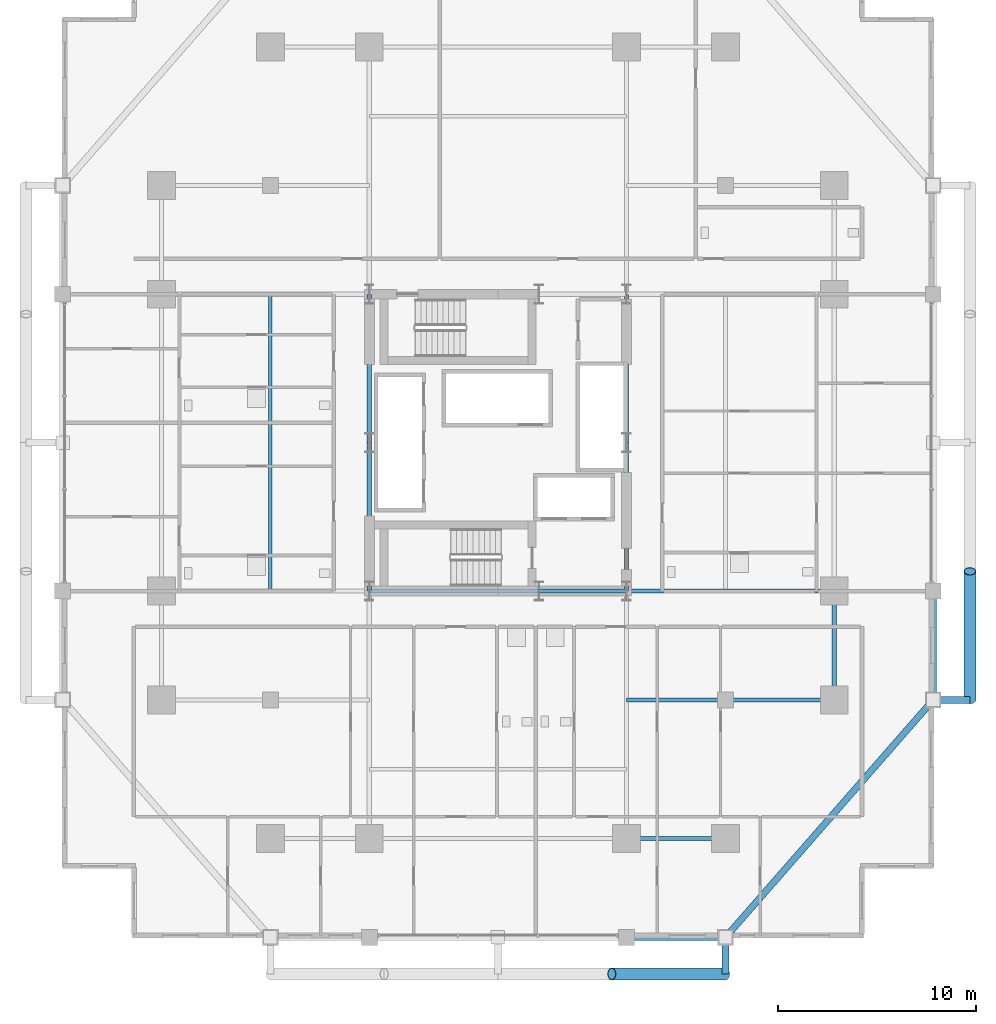
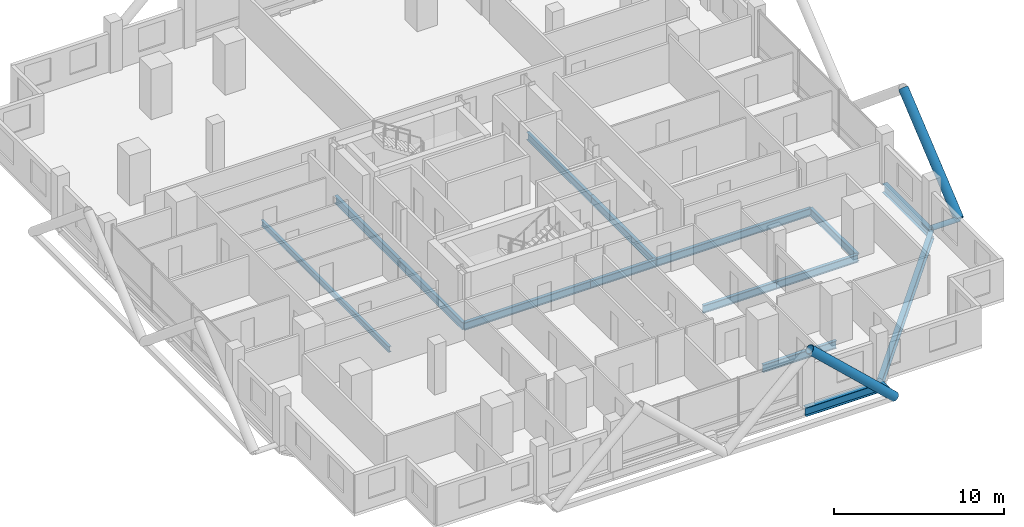
# One storey, part 9 of 27: 15 beams, 4 members.
"""IFC4 building model written with IfcOpenShell, lengths in metres."""

from ifc_helpers import new_model, si_unit, direction, frame, origin, origin_2d, place, context, subcontext, project, spatial, hollow_circle, i_section, extrude, material, material_profile, profile_set, type_object, element, save


model = new_model("IFC4")

# Units and contexts
model_context = context("Model", 3, precision=1e-05, world=origin(), true_north=direction((0.0, 1.0)))
body_context = subcontext(model_context, "Body", "Model", "MODEL_VIEW")
ifc_project = project(units=[si_unit("LENGTHUNIT", "METRE"), si_unit("AREAUNIT", "SQUARE_METRE"), si_unit("VOLUMEUNIT", "CUBIC_METRE"), si_unit("PLANEANGLEUNIT", "RADIAN"), si_unit("MASSUNIT", "GRAM", prefix="KILO")], contexts=[model_context])

# Site, building, storey
site_placement = place(None, origin())
site = spatial("IfcSite", under=ifc_project, at=site_placement, CompositionType="ELEMENT")
building_placement = place(site_placement, origin())
building = spatial("IfcBuilding", under=site, at=building_placement, Name="Barlavira Tower and Art Museum", CompositionType="ELEMENT")
storey_placement = place(building_placement, frame((0.0, 0.0, 50.39990234375)))
storey = spatial("IfcBuildingStorey", under=building, at=storey_placement, Name="L11", CompositionType="ELEMENT", Elevation=50.39990234375)

# Members
ifc_material = material(Name="Steel S355", Category="steel")
ifc_material_profile_1 = material_profile(ifc_material, hollow_circle(Radius=0.304931640625, WallThickness=0.028076171875, at=origin_2d()), Name="CHS 610.0x28.0")
ifc_profile_set_1 = profile_set([ifc_material_profile_1], Name="Steel S355")
member_type_1 = type_object("IfcMemberType", Name="Pale-Metal Exoskeleton Diagrid Tube CHS 610x28 Steel S355", PredefinedType="BRACE", material=ifc_profile_set_1)
member_1_placement = place(storey_placement, frame((11.5, -26.85009765625, -0.119873046875), z_axis=(-0.728950095515, 0.0, 0.684566839869), x_axis=(0.0, -1.0, 0.0)))
element("IfcMember", 1, at=member_1_placement, inside=storey, type_object=member_type_1, Name="L11 Exoskeleton Diagrid Tube S", PredefinedType="BRACE", context=body_context, shape_type="SweptSolid", body=[
    extrude(hollow_circle(Radius=0.304931640625, WallThickness=0.028076171875, at=origin_2d()), origin(), (0.0, 0.0, 1.0), 7.887939453125),
])
member_2_placement = place(storey_placement, frame((23.85009765625, -13.0, -0.119873046875), z_axis=(0.0, 0.769196053329, 0.639012857104), x_axis=(-1.0, 0.0, 0.0)))
element("IfcMember", 2, at=member_2_placement, inside=storey, type_object=member_type_1, Name="L11 Exoskeleton Diagrid Tube E", PredefinedType="BRACE", context=body_context, shape_type="SweptSolid", body=[
    extrude(hollow_circle(Radius=0.304931640625, WallThickness=0.028076171875, at=origin_2d()), origin(), (0.0, 0.0, 1.0), 8.450439453125),
])
ifc_material_profile_2 = material_profile(ifc_material, hollow_circle(Radius=0.177734375, WallThickness=0.01611328125, at=origin_2d()), Name="CHS 355.6x16.0")
ifc_profile_set_2 = profile_set([ifc_material_profile_2], Name="Steel S355")
member_type_2 = type_object("IfcMemberType", Name="Pale-Metal Exoskeleton Tie Strut CHS 356x16 Steel S355", PredefinedType="STRUT", material=ifc_profile_set_2)
for number, where, z_axis, x_axis, name in (
    (3, (11.5, -26.85009765625, -0.119873046875), (0.0, 1.0, 0.0), (-1.0, 0.0, 0.0), "L11 Exoskeleton Tie Strut S3"),
    (4, (23.85009765625, -13.0, -0.119873046875), (-1.0, 0.0, 0.0), (0.0, -1.0, 0.0), "L11 Exoskeleton Tie Strut E1"),
):
    element("IfcMember", number, at=place(storey_placement, frame(where, z_axis=z_axis, x_axis=x_axis)), inside=storey, type_object=member_type_2, Name=name, PredefinedType="STRUT", context=body_context, shape_type="SweptSolid", body=[
        extrude(hollow_circle(Radius=0.177734375, WallThickness=0.01611328125, at=origin_2d()), origin(), (0.0, 0.0, 1.0), 1.85009765625),
    ])

# Beams
ifc_material_profile_3 = material_profile(ifc_material, i_section(OverallWidth=0.327880859375, OverallDepth=0.62890625, WebThickness=0.013916015625, FlangeThickness=0.021484375, at=origin_2d()), Name="W610x174.0")
ifc_profile_set_3 = profile_set([ifc_material_profile_3], Name="Steel S355")
beam_type_1 = type_object("IfcBeamType", Name="Perimeter Spandrel Edge Beam W610x174 Steel S355", PredefinedType="SPANDREL", material=ifc_profile_set_3)
beam_1_placement = place(storey_placement, frame((6.5, -25.0, -0.534423828125), z_axis=(1.0, 0.0, 0.0), x_axis=(0.0, 1.0, 0.0)))
element("IfcBeam", 5, at=beam_1_placement, inside=storey, type_object=beam_type_1, Name="L11 Spandrel 3", PredefinedType="SPANDREL", context=body_context, shape_type="SweptSolid", body=[
    extrude(i_section(OverallWidth=0.327880859375, OverallDepth=0.62890625, WebThickness=0.013916015625, FlangeThickness=0.021484375, at=origin_2d()), origin(), (0.0, 0.0, 1.0), 5.0),
])
beam_2_placement = place(storey_placement, frame((11.5, -25.0, -0.534423828125), z_axis=(0.658504607869, 0.752576694707, 0.0), x_axis=(-0.752576694707, 0.658504607869, 0.0)))
element("IfcBeam", 6, at=beam_2_placement, inside=storey, type_object=beam_type_1, Name="L11 Spandrel 4", PredefinedType="SPANDREL", context=body_context, shape_type="SweptSolid", body=[
    extrude(i_section(OverallWidth=0.327880859375, OverallDepth=0.62890625, WebThickness=0.013916015625, FlangeThickness=0.021484375, at=origin_2d()), origin(), (0.0, 0.0, 1.0), 15.9453125),
])
beam_3_placement = place(storey_placement, frame((22.0, -13.0, -0.534423828125), z_axis=(0.0, 1.0, 0.0), x_axis=(-1.0, 0.0, 0.0)))
element("IfcBeam", 7, at=beam_3_placement, inside=storey, type_object=beam_type_1, Name="L11 Spandrel 5", PredefinedType="SPANDREL", context=body_context, shape_type="SweptSolid", body=[
    extrude(i_section(OverallWidth=0.327880859375, OverallDepth=0.62890625, WebThickness=0.013916015625, FlangeThickness=0.021484375, at=origin_2d()), origin(), (0.0, 0.0, 1.0), 5.5),
])
ifc_material_profile_4 = material_profile(ifc_material, i_section(OverallWidth=0.180908203125, OverallDepth=0.4169921875, WebThickness=0.010986328125, FlangeThickness=0.018310546875, at=origin_2d()), Name="W410x85.0")
ifc_profile_set_4 = profile_set([ifc_material_profile_4], Name="Steel S355")
beam_type_2 = type_object("IfcBeamType", Name="Zone 1 Composite Floor Joist W410x85 Steel S355", PredefinedType="JOIST", material=ifc_profile_set_4)
beam_4_placement = place(storey_placement, frame((-11.5, -7.5, -0.428466796875), z_axis=(0.0, 1.0, 0.0), x_axis=(-1.0, 0.0, 0.0)))
element("IfcBeam", 8, at=beam_4_placement, inside=storey, type_object=beam_type_2, Name="L11 Joist W1", PredefinedType="JOIST", context=body_context, shape_type="SweptSolid", body=[
    extrude(i_section(OverallWidth=0.180908203125, OverallDepth=0.4169921875, WebThickness=0.010986328125, FlangeThickness=0.018310546875, at=origin_2d()), origin(), (0.0, 0.0, 1.0), 15.0),
])
ifc_material_profile_5 = material_profile(ifc_material, i_section(OverallWidth=0.214111328125, OverallDepth=0.549072265625, WebThickness=0.0146484375, FlangeThickness=0.023681640625, at=origin_2d()), Name="W530x138.0")
ifc_profile_set_5 = profile_set([ifc_material_profile_5], Name="Steel S355")
beam_type_3 = type_object("IfcBeamType", Name="Zone 1 Primary Floor Girder W530x138 Steel S355", PredefinedType="BEAM", material=ifc_profile_set_5)
beam_5_placement = place(storey_placement, frame((-6.5, -7.5, -0.494384765625), z_axis=(1.0, 0.0, 0.0), x_axis=(0.0, 1.0, 0.0)))
element("IfcBeam", 9, at=beam_5_placement, inside=storey, type_object=beam_type_3, Name="L11 Girder C-S1", PredefinedType="BEAM", context=body_context, shape_type="SweptSolid", body=[
    extrude(i_section(OverallWidth=0.214111328125, OverallDepth=0.549072265625, WebThickness=0.0146484375, FlangeThickness=0.023681640625, at=origin_2d()), origin(), (0.0, 0.0, 1.0), 8.580078125),
])
beam_6_placement = place(storey_placement, frame((2.080078125, -7.5, -0.494384765625), z_axis=(1.0, 0.0, 0.0), x_axis=(0.0, 1.0, 0.0)))
element("IfcBeam", 10, at=beam_6_placement, inside=storey, type_object=beam_type_3, Name="L11 Girder C-S2", PredefinedType="BEAM", context=body_context, shape_type="SweptSolid", body=[
    extrude(i_section(OverallWidth=0.214111328125, OverallDepth=0.549072265625, WebThickness=0.0146484375, FlangeThickness=0.023681640625, at=origin_2d()), origin(), (0.0, 0.0, 1.0), 4.419921875),
])
for number, where, z_axis, x_axis, name in (
    (11, (-6.5, -7.5, -0.494384765625), (0.0, 1.0, 0.0), (-1.0, 0.0, 0.0), "L11 Girder C-W1"),
    (12, (-6.5, 0.0, -0.494384765625), (0.0, 1.0, 0.0), (-1.0, 0.0, 0.0), "L11 Girder C-W2"),
    (13, (6.5, -7.5, -0.494384765625), (0.0, 1.0, 0.0), (-1.0, 0.0, 0.0), "L11 Girder C-E1"),
    (14, (6.5, 0.0, -0.494384765625), (0.0, 1.0, 0.0), (-1.0, 0.0, 0.0), "L11 Girder C-E2"),
):
    element("IfcBeam", number, at=place(storey_placement, frame(where, z_axis=z_axis, x_axis=x_axis)), inside=storey, type_object=beam_type_3, Name=name, PredefinedType="BEAM", context=body_context, shape_type="SweptSolid", body=[
        extrude(i_section(OverallWidth=0.214111328125, OverallDepth=0.549072265625, WebThickness=0.0146484375, FlangeThickness=0.023681640625, at=origin_2d()), origin(), (0.0, 0.0, 1.0), 7.5),
    ])
beam_7_placement = place(storey_placement, frame((6.5, -20.0, -0.494384765625), z_axis=(1.0, 0.0, 0.0), x_axis=(0.0, 1.0, 0.0)))
element("IfcBeam", 15, at=beam_7_placement, inside=storey, type_object=beam_type_3, Name="L11 Girder M-S3", PredefinedType="BEAM", context=body_context, shape_type="SweptSolid", body=[
    extrude(i_section(OverallWidth=0.214111328125, OverallDepth=0.549072265625, WebThickness=0.0146484375, FlangeThickness=0.023681640625, at=origin_2d()), origin(), (0.0, 0.0, 1.0), 5.0),
])
beam_8_placement = place(storey_placement, frame((17.0, -13.0, -0.494384765625), z_axis=(0.0, 1.0, 0.0), x_axis=(-1.0, 0.0, 0.0)))
element("IfcBeam", 16, at=beam_8_placement, inside=storey, type_object=beam_type_3, Name="L11 Girder M-E1", PredefinedType="BEAM", context=body_context, shape_type="SweptSolid", body=[
    extrude(i_section(OverallWidth=0.214111328125, OverallDepth=0.549072265625, WebThickness=0.0146484375, FlangeThickness=0.023681640625, at=origin_2d()), origin(), (0.0, 0.0, 1.0), 5.5),
])
beam_9_placement = place(storey_placement, frame((6.5, -7.5, -0.494384765625), z_axis=(1.0, 0.0, 0.0), x_axis=(0.0, 1.0, 0.0)))
element("IfcBeam", 17, at=beam_9_placement, inside=storey, type_object=beam_type_3, Name="L11 Girder R-E1", PredefinedType="BEAM", context=body_context, shape_type="SweptSolid", body=[
    extrude(i_section(OverallWidth=0.214111328125, OverallDepth=0.549072265625, WebThickness=0.0146484375, FlangeThickness=0.023681640625, at=origin_2d()), origin(), (0.0, 0.0, 1.0), 10.5),
])
beam_10_placement = place(storey_placement, frame((6.5, -13.0, -0.494384765625), z_axis=(1.0, 0.0, 0.0), x_axis=(0.0, 1.0, 0.0)))
element("IfcBeam", 18, at=beam_10_placement, inside=storey, type_object=beam_type_3, Name="L11 Girder I-S3", PredefinedType="BEAM", context=body_context, shape_type="SweptSolid", body=[
    extrude(i_section(OverallWidth=0.214111328125, OverallDepth=0.549072265625, WebThickness=0.0146484375, FlangeThickness=0.023681640625, at=origin_2d()), origin(), (0.0, 0.0, 1.0), 5.0),
])
beam_11_placement = place(storey_placement, frame((11.5, -13.0, -0.494384765625), z_axis=(1.0, 0.0, 0.0), x_axis=(0.0, 1.0, 0.0)))
element("IfcBeam", 19, at=beam_11_placement, inside=storey, type_object=beam_type_3, Name="L11 Girder I-S4", PredefinedType="BEAM", context=body_context, shape_type="SweptSolid", body=[
    extrude(i_section(OverallWidth=0.214111328125, OverallDepth=0.549072265625, WebThickness=0.0146484375, FlangeThickness=0.023681640625, at=origin_2d()), origin(), (0.0, 0.0, 1.0), 5.5),
])

save(model, "model.ifc")
